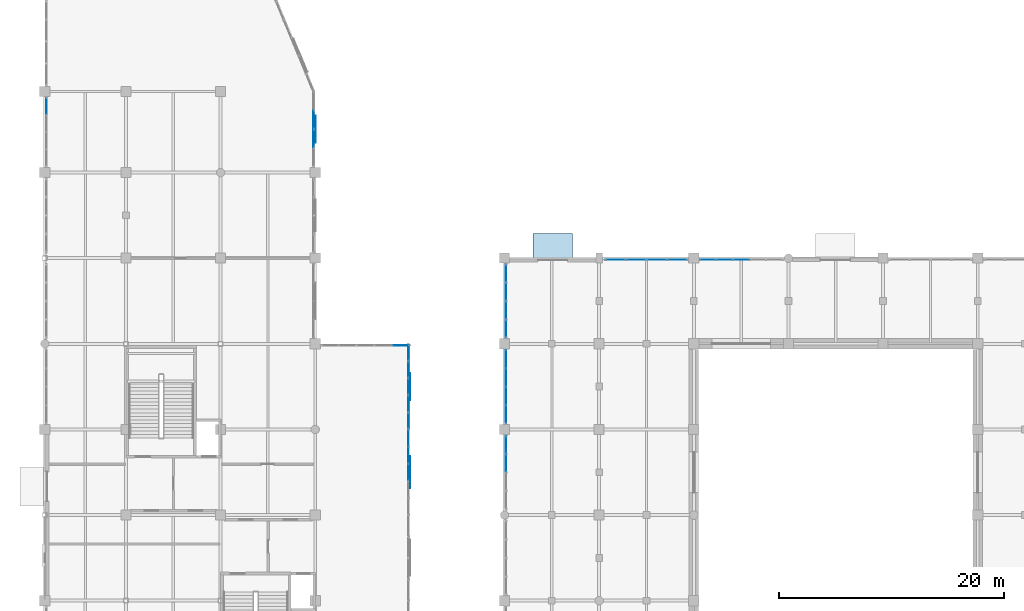
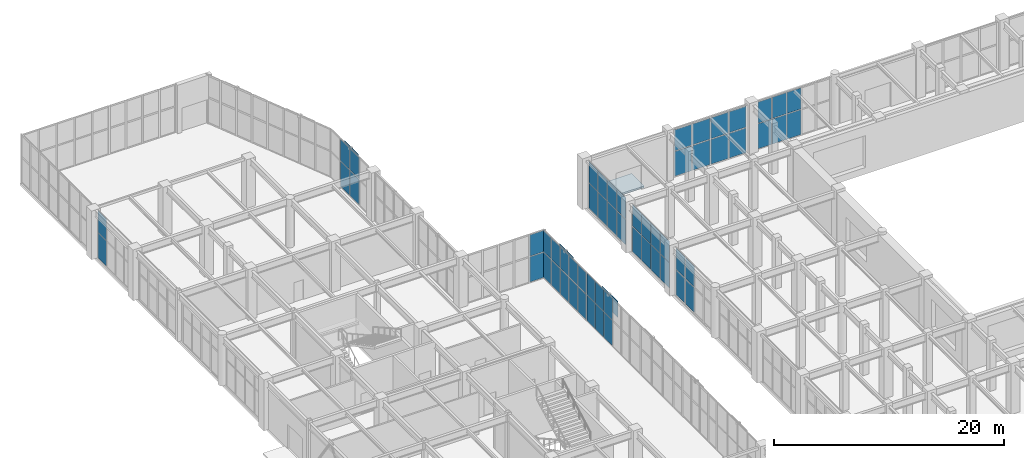
# One storey, part 107 of 139: 61 plates, 1 slab, 10 elements without a shape of their own.
"""IFC4 building model written with IfcOpenShell, lengths in metres."""

from ifc_helpers import new_model, si_unit, direction, frame, origin, origin_2d, place, context, subcontext, project, spatial, polyline, rectangle, outline, extrude, material, layer, layer_set, type_object, element, aggregate, save


model = new_model("IFC4")

# Units and contexts
model_context = context("Model", 3, precision=1e-05, world=origin(), true_north=direction((0.0, 1.0)))
body_context = subcontext(model_context, "Body", "Model", "MODEL_VIEW")
ifc_project = project(units=[si_unit("LENGTHUNIT", "METRE"), si_unit("AREAUNIT", "SQUARE_METRE"), si_unit("VOLUMEUNIT", "CUBIC_METRE"), si_unit("PLANEANGLEUNIT", "RADIAN"), si_unit("MASSUNIT", "GRAM", prefix="KILO")], contexts=[model_context])

# Site, building, storey
site_placement = place(None, origin())
site = spatial("IfcSite", under=ifc_project, at=site_placement, CompositionType="ELEMENT")
building_placement = place(site_placement, origin())
building = spatial("IfcBuilding", under=site, at=building_placement, Name="Xicomal Pleat Aquarium", CompositionType="ELEMENT")
storey_placement = place(building_placement, origin())
storey = spatial("IfcBuildingStorey", under=building, at=storey_placement, Name="L01", CompositionType="ELEMENT", Elevation=0.0)

# Curtain wall, plates
ifc_material_1 = material(Name="Bronze anodized aluminium 6063-T6", Category="aluminium")
ifc_layer_1 = layer(ifc_material_1, 0.159912109375)
ifc_layer_set_1 = layer_set([ifc_layer_1], Name="Bronze anodized aluminium 6063-T6")
curtain_wall_type_1 = type_object("IfcCurtainWallType", Name="CW-SYS-01", PredefinedType="NOTDEFINED", material=ifc_layer_set_1)
curtain_wall_1_placement = place(storey_placement, origin())
curtain_wall_1 = element("IfcCurtainWall", 1, at=curtain_wall_1_placement, inside=storey, type_object=curtain_wall_type_1, Name="L01 unitised curtain wall CW-L01-012", PredefinedType="NOTDEFINED")
ifc_material_2 = material(Name="Insulated low-E laminated glass", Category="glass")
ifc_layer_2 = layer(ifc_material_2, 0.028076171875)
ifc_layer_set_2 = layer_set([ifc_layer_2], Name="Insulated low-E laminated glass")
plate_type_1 = type_object("IfcPlateType", Name="CWP-GLZ-28", PredefinedType="CURTAIN_PANEL", material=ifc_layer_set_2)
plate_1_placement = place(storey_placement, frame((3.139892578125, 97.09375, 0.06494140625), z_axis=(0.0, 0.0, 1.0), x_axis=(0.0, 1.0, 0.0)))
plate_1 = element("IfcPlate", 2, at=plate_1_placement, type_object=plate_type_1, Name="CW-01 panel 4.1", PredefinedType="CURTAIN_PANEL", context=body_context, shape_type="SweptSolid", body=[
    extrude(rectangle(XDim=1.4423828125, YDim=0.028076171875, at=origin_2d()), origin(), (0.0, 0.0, 1.0), 2.6884765625),
])
plate_2_placement = place(storey_placement, frame((3.139892578125, 97.09375, 2.818359375), z_axis=(0.0, 0.0, 1.0), x_axis=(0.0, 1.0, 0.0)))
plate_2 = element("IfcPlate", 3, at=plate_2_placement, type_object=plate_type_1, Name="CW-01 panel 4.2", PredefinedType="CURTAIN_PANEL", context=body_context, shape_type="SweptSolid", body=[
    extrude(rectangle(XDim=1.4423828125, YDim=0.028076171875, at=origin_2d()), origin(), (0.0, 0.0, 1.0), 2.276611328125),
])
aggregate(curtain_wall_1, [plate_1, plate_2])

curtain_wall_2_placement = place(storey_placement, origin())
curtain_wall_2 = element("IfcCurtainWall", 4, at=curtain_wall_2_placement, inside=storey, type_object=curtain_wall_type_1, Name="L01 unitised curtain wall CW-L01-024", PredefinedType="NOTDEFINED")
plate_3_placement = place(storey_placement, frame((35.260009765625, 67.623779296875, 0.06494140625), z_axis=(0.0, 0.0, 1.0), x_axis=(0.0, -1.0, 0.0)))
plate_3 = element("IfcPlate", 5, at=plate_3_placement, type_object=plate_type_1, Name="CW-01 panel 1.1", PredefinedType="CURTAIN_PANEL", context=body_context, shape_type="SweptSolid", body=[
    extrude(rectangle(XDim=1.422607421875, YDim=0.028076171875, at=origin_2d()), origin(), (0.0, 0.0, 1.0), 2.6884765625),
])
plate_4_placement = place(storey_placement, frame((35.260009765625, 67.623779296875, 2.818359375), z_axis=(0.0, 0.0, 1.0), x_axis=(0.0, -1.0, 0.0)))
plate_4 = element("IfcPlate", 6, at=plate_4_placement, type_object=plate_type_1, Name="CW-01 panel 1.2", PredefinedType="CURTAIN_PANEL", context=body_context, shape_type="SweptSolid", body=[
    extrude(rectangle(XDim=1.422607421875, YDim=0.028076171875, at=origin_2d()), origin(), (0.0, 0.0, 1.0), 2.276611328125),
])
plate_5_placement = place(storey_placement, frame((35.260009765625, 66.1201171875, 0.06494140625), z_axis=(0.0, 0.0, 1.0), x_axis=(0.0, -1.0, 0.0)))
plate_5 = element("IfcPlate", 7, at=plate_5_placement, type_object=plate_type_1, Name="CW-01 panel 2.1", PredefinedType="CURTAIN_PANEL", context=body_context, shape_type="SweptSolid", body=[
    extrude(rectangle(XDim=1.455078125, YDim=0.028076171875, at=origin_2d()), origin(), (0.0, 0.0, 1.0), 2.6884765625),
])
plate_6_placement = place(storey_placement, frame((35.260009765625, 66.1201171875, 2.818359375), z_axis=(0.0, 0.0, 1.0), x_axis=(0.0, -1.0, 0.0)))
plate_6 = element("IfcPlate", 8, at=plate_6_placement, type_object=plate_type_1, Name="CW-01 panel 2.2", PredefinedType="CURTAIN_PANEL", context=body_context, shape_type="SweptSolid", body=[
    extrude(rectangle(XDim=1.455078125, YDim=0.028076171875, at=origin_2d()), origin(), (0.0, 0.0, 1.0), 2.276611328125),
])
plate_7_placement = place(storey_placement, frame((35.260009765625, 64.60009765625, 0.06494140625), z_axis=(0.0, 0.0, 1.0), x_axis=(0.0, -1.0, 0.0)))
plate_7 = element("IfcPlate", 9, at=plate_7_placement, type_object=plate_type_1, Name="CW-01 panel 3.1", PredefinedType="CURTAIN_PANEL", context=body_context, shape_type="SweptSolid", body=[
    extrude(rectangle(XDim=1.455078125, YDim=0.028076171875, at=origin_2d()), origin(), (0.0, 0.0, 1.0), 2.6884765625),
])
plate_8_placement = place(storey_placement, frame((35.260009765625, 64.60009765625, 2.818359375), z_axis=(0.0, 0.0, 1.0), x_axis=(0.0, -1.0, 0.0)))
plate_8 = element("IfcPlate", 10, at=plate_8_placement, type_object=plate_type_1, Name="CW-01 panel 3.2", PredefinedType="CURTAIN_PANEL", context=body_context, shape_type="SweptSolid", body=[
    extrude(rectangle(XDim=1.455078125, YDim=0.028076171875, at=origin_2d()), origin(), (0.0, 0.0, 1.0), 2.276611328125),
])
aggregate(curtain_wall_2, [plate_3, plate_4, plate_5, plate_6, plate_7, plate_8])

ifc_material_3 = material(Name="Bronze anodized aluminium 6063-T6", Category="aluminium")
ifc_layer_3 = layer(ifc_material_3, 0.159912109375)
ifc_layer_set_3 = layer_set([ifc_layer_3], Name="Bronze anodized aluminium 6063-T6")
curtain_wall_type_2 = type_object("IfcCurtainWallType", Name="CW-SYS-11", PredefinedType="NOTDEFINED", material=ifc_layer_set_3)
curtain_wall_3_placement = place(storey_placement, origin())
curtain_wall_3 = element("IfcCurtainWall", 11, at=curtain_wall_3_placement, inside=storey, type_object=curtain_wall_type_2, Name="L01 unitised curtain wall CW-L01-032", PredefinedType="NOTDEFINED")
plate_9_placement = place(storey_placement, frame((43.93994140625, 65.419921875, 0.0849609375), z_axis=(0.0, 0.0, 1.0), x_axis=(0.0, 1.0, 0.0)))
plate_9 = element("IfcPlate", 12, at=plate_9_placement, type_object=plate_type_1, Name="CW-11 panel 3.1", PredefinedType="CURTAIN_PANEL", context=body_context, shape_type="SweptSolid", body=[
    extrude(rectangle(XDim=1.554931640625, YDim=0.028076171875, at=origin_2d()), origin(), (0.0, 0.0, 1.0), 2.62646484375),
])
plate_10_placement = place(storey_placement, frame((43.93994140625, 65.419921875, 2.79638671875), z_axis=(0.0, 0.0, 1.0), x_axis=(0.0, 1.0, 0.0)))
plate_10 = element("IfcPlate", 13, at=plate_10_placement, type_object=plate_type_1, Name="CW-11 panel 3.2", PredefinedType="CURTAIN_PANEL", context=body_context, shape_type="SweptSolid", body=[
    extrude(rectangle(XDim=1.554931640625, YDim=0.028076171875, at=origin_2d()), origin(), (0.0, 0.0, 1.0), 2.218505859375),
])
plate_11_placement = place(storey_placement, frame((43.93994140625, 67.038818359375, 0.0849609375), z_axis=(0.0, 0.0, 1.0), x_axis=(0.0, 1.0, 0.0)))
plate_11 = element("IfcPlate", 14, at=plate_11_placement, type_object=plate_type_1, Name="CW-11 panel 4.1", PredefinedType="CURTAIN_PANEL", context=body_context, shape_type="SweptSolid", body=[
    extrude(rectangle(XDim=1.512451171875, YDim=0.028076171875, at=origin_2d()), origin(), (0.0, 0.0, 1.0), 2.62646484375),
])
plate_12_placement = place(storey_placement, frame((43.93994140625, 67.038818359375, 2.79638671875), z_axis=(0.0, 0.0, 1.0), x_axis=(0.0, 1.0, 0.0)))
plate_12 = element("IfcPlate", 15, at=plate_12_placement, type_object=plate_type_1, Name="CW-11 panel 4.2", PredefinedType="CURTAIN_PANEL", context=body_context, shape_type="SweptSolid", body=[
    extrude(rectangle(XDim=1.512451171875, YDim=0.028076171875, at=origin_2d()), origin(), (0.0, 0.0, 1.0), 2.218505859375),
])
aggregate(curtain_wall_3, [plate_9, plate_10, plate_11, plate_12])

curtain_wall_4_placement = place(storey_placement, origin())
curtain_wall_4 = element("IfcCurtainWall", 16, at=curtain_wall_4_placement, inside=storey, type_object=curtain_wall_type_1, Name="L01 unitised curtain wall CW-L01-036", PredefinedType="NOTDEFINED")
plate_13_placement = place(storey_placement, frame((61.872314453125, 83.4599609375, 0.06494140625), z_axis=(0.0, 0.0, 1.0), x_axis=(1.0, 0.0, 0.0)))
plate_13 = element("IfcPlate", 17, at=plate_13_placement, type_object=plate_type_1, Name="CW-01 panel 1.1", PredefinedType="CURTAIN_PANEL", context=body_context, shape_type="SweptSolid", body=[
    extrude(rectangle(XDim=1.37451171875, YDim=0.028076171875, at=origin_2d()), origin(), (0.0, 0.0, 1.0), 2.656494140625),
])
plate_14_placement = place(storey_placement, frame((61.872314453125, 83.4599609375, 2.78662109375), z_axis=(0.0, 0.0, 1.0), x_axis=(1.0, 0.0, 0.0)))
plate_14 = element("IfcPlate", 18, at=plate_14_placement, type_object=plate_type_1, Name="CW-01 panel 1.2", PredefinedType="CURTAIN_PANEL", context=body_context, shape_type="SweptSolid", body=[
    extrude(rectangle(XDim=1.37451171875, YDim=0.028076171875, at=origin_2d()), origin(), (0.0, 0.0, 1.0), 2.24853515625),
])
plate_15_placement = place(storey_placement, frame((63.327880859375, 83.4599609375, 0.06494140625), z_axis=(0.0, 0.0, 1.0), x_axis=(1.0, 0.0, 0.0)))
plate_15 = element("IfcPlate", 19, at=plate_15_placement, type_object=plate_type_1, Name="CW-01 panel 2.1", PredefinedType="CURTAIN_PANEL", context=body_context, shape_type="SweptSolid", body=[
    extrude(rectangle(XDim=1.406982421875, YDim=0.028076171875, at=origin_2d()), origin(), (0.0, 0.0, 1.0), 2.656494140625),
])
plate_16_placement = place(storey_placement, frame((63.327880859375, 83.4599609375, 2.78662109375), z_axis=(0.0, 0.0, 1.0), x_axis=(1.0, 0.0, 0.0)))
plate_16 = element("IfcPlate", 20, at=plate_16_placement, type_object=plate_type_1, Name="CW-01 panel 2.2", PredefinedType="CURTAIN_PANEL", context=body_context, shape_type="SweptSolid", body=[
    extrude(rectangle(XDim=1.406982421875, YDim=0.028076171875, at=origin_2d()), origin(), (0.0, 0.0, 1.0), 2.24853515625),
])
plate_17_placement = place(storey_placement, frame((64.800048828125, 83.4599609375, 0.06494140625), z_axis=(0.0, 0.0, 1.0), x_axis=(1.0, 0.0, 0.0)))
plate_17 = element("IfcPlate", 21, at=plate_17_placement, type_object=plate_type_1, Name="CW-01 panel 3.1", PredefinedType="CURTAIN_PANEL", context=body_context, shape_type="SweptSolid", body=[
    extrude(rectangle(XDim=1.406982421875, YDim=0.028076171875, at=origin_2d()), origin(), (0.0, 0.0, 1.0), 2.656494140625),
])
plate_18_placement = place(storey_placement, frame((64.800048828125, 83.4599609375, 2.78662109375), z_axis=(0.0, 0.0, 1.0), x_axis=(1.0, 0.0, 0.0)))
plate_18 = element("IfcPlate", 22, at=plate_18_placement, type_object=plate_type_1, Name="CW-01 panel 3.2", PredefinedType="CURTAIN_PANEL", context=body_context, shape_type="SweptSolid", body=[
    extrude(rectangle(XDim=1.406982421875, YDim=0.028076171875, at=origin_2d()), origin(), (0.0, 0.0, 1.0), 2.24853515625),
])
aggregate(curtain_wall_4, [plate_13, plate_14, plate_15, plate_16, plate_17, plate_18])

curtain_wall_5_placement = place(storey_placement, origin())
curtain_wall_5 = element("IfcCurtainWall", 23, at=curtain_wall_5_placement, inside=storey, type_object=curtain_wall_type_1, Name="L01 unitised curtain wall CW-L01-033", PredefinedType="NOTDEFINED")
ifc_material_4 = material(Name="Insulated low-E laminated glass", Category="glass")
ifc_layer_4 = layer(ifc_material_4, 0.031982421875)
ifc_layer_set_4 = layer_set([ifc_layer_4], Name="Insulated low-E laminated glass")
plate_type_2 = type_object("IfcPlateType", Name="CWP-GLZ-32", PredefinedType="CURTAIN_PANEL", material=ifc_layer_set_4)
plate_19_placement = place(storey_placement, frame((43.93994140625, 69.75634765625, 0.06494140625), z_axis=(0.0, 0.0, 1.0), x_axis=(0.0, 1.0, 0.0)))
plate_19 = element("IfcPlate", 24, at=plate_19_placement, type_object=plate_type_2, Name="CW-01 panel 1.1", PredefinedType="CURTAIN_PANEL", context=body_context, shape_type="SweptSolid", body=[
    extrude(rectangle(XDim=1.54248046875, YDim=0.031982421875, at=origin_2d()), origin(), (0.0, 0.0, 1.0), 2.656494140625),
])
plate_20_placement = place(storey_placement, frame((43.93994140625, 69.75634765625, 2.78662109375), z_axis=(0.0, 0.0, 1.0), x_axis=(0.0, 1.0, 0.0)))
plate_20 = element("IfcPlate", 25, at=plate_20_placement, type_object=plate_type_2, Name="CW-01 panel 1.2", PredefinedType="CURTAIN_PANEL", context=body_context, shape_type="SweptSolid", body=[
    extrude(rectangle(XDim=1.54248046875, YDim=0.031982421875, at=origin_2d()), origin(), (0.0, 0.0, 1.0), 2.24853515625),
])
plate_21_placement = place(storey_placement, frame((43.93994140625, 71.3798828125, 0.06494140625), z_axis=(0.0, 0.0, 1.0), x_axis=(0.0, 1.0, 0.0)))
plate_21 = element("IfcPlate", 26, at=plate_21_placement, type_object=plate_type_2, Name="CW-01 panel 2.1", PredefinedType="CURTAIN_PANEL", context=body_context, shape_type="SweptSolid", body=[
    extrude(rectangle(XDim=1.574951171875, YDim=0.031982421875, at=origin_2d()), origin(), (0.0, 0.0, 1.0), 2.656494140625),
])
plate_22_placement = place(storey_placement, frame((43.93994140625, 71.3798828125, 2.78662109375), z_axis=(0.0, 0.0, 1.0), x_axis=(0.0, 1.0, 0.0)))
plate_22 = element("IfcPlate", 27, at=plate_22_placement, type_object=plate_type_2, Name="CW-01 panel 2.2", PredefinedType="CURTAIN_PANEL", context=body_context, shape_type="SweptSolid", body=[
    extrude(rectangle(XDim=1.574951171875, YDim=0.031982421875, at=origin_2d()), origin(), (0.0, 0.0, 1.0), 2.24853515625),
])
plate_23_placement = place(storey_placement, frame((43.93994140625, 73.02001953125, 0.06494140625), z_axis=(0.0, 0.0, 1.0), x_axis=(0.0, 1.0, 0.0)))
plate_23 = element("IfcPlate", 28, at=plate_23_placement, type_object=plate_type_2, Name="CW-01 panel 3.1", PredefinedType="CURTAIN_PANEL", context=body_context, shape_type="SweptSolid", body=[
    extrude(rectangle(XDim=1.574951171875, YDim=0.031982421875, at=origin_2d()), origin(), (0.0, 0.0, 1.0), 2.656494140625),
])
plate_24_placement = place(storey_placement, frame((43.93994140625, 73.02001953125, 2.78662109375), z_axis=(0.0, 0.0, 1.0), x_axis=(0.0, 1.0, 0.0)))
plate_24 = element("IfcPlate", 29, at=plate_24_placement, type_object=plate_type_2, Name="CW-01 panel 3.2", PredefinedType="CURTAIN_PANEL", context=body_context, shape_type="SweptSolid", body=[
    extrude(rectangle(XDim=1.574951171875, YDim=0.031982421875, at=origin_2d()), origin(), (0.0, 0.0, 1.0), 2.24853515625),
])
plate_25_placement = place(storey_placement, frame((43.93994140625, 74.643798828125, 0.06494140625), z_axis=(0.0, 0.0, 1.0), x_axis=(0.0, 1.0, 0.0)))
plate_25 = element("IfcPlate", 30, at=plate_25_placement, type_object=plate_type_2, Name="CW-01 panel 4.1", PredefinedType="CURTAIN_PANEL", context=body_context, shape_type="SweptSolid", body=[
    extrude(rectangle(XDim=1.54248046875, YDim=0.031982421875, at=origin_2d()), origin(), (0.0, 0.0, 1.0), 2.656494140625),
])
plate_26_placement = place(storey_placement, frame((43.93994140625, 74.643798828125, 2.78662109375), z_axis=(0.0, 0.0, 1.0), x_axis=(0.0, 1.0, 0.0)))
plate_26 = element("IfcPlate", 31, at=plate_26_placement, type_object=plate_type_2, Name="CW-01 panel 4.2", PredefinedType="CURTAIN_PANEL", context=body_context, shape_type="SweptSolid", body=[
    extrude(rectangle(XDim=1.54248046875, YDim=0.031982421875, at=origin_2d()), origin(), (0.0, 0.0, 1.0), 2.24853515625),
])
aggregate(curtain_wall_5, [plate_19, plate_20, plate_21, plate_22, plate_23, plate_24, plate_25, plate_26])

ifc_material_5 = material(Name="Bronze anodized aluminium 6063-T6", Category="aluminium")
ifc_layer_5 = layer(ifc_material_5, 0.159912109375)
ifc_layer_set_5 = layer_set([ifc_layer_5], Name="Bronze anodized aluminium 6063-T6")
curtain_wall_type_3 = type_object("IfcCurtainWallType", Name="CW-SYS-06", PredefinedType="NOTDEFINED", material=ifc_layer_set_5)
curtain_wall_6_placement = place(storey_placement, origin())
curtain_wall_6 = element("IfcCurtainWall", 32, at=curtain_wall_6_placement, inside=storey, type_object=curtain_wall_type_3, Name="L01 unitised curtain wall CW-L01-022", PredefinedType="NOTDEFINED")
ifc_material_6 = material(Name="Insulated low-E laminated glass", Category="glass")
ifc_layer_6 = layer(ifc_material_6, 0.035888671875)
ifc_layer_set_6 = layer_set([ifc_layer_6], Name="Insulated low-E laminated glass")
plate_type_3 = type_object("IfcPlateType", Name="CWP-GLZ-36", PredefinedType="CURTAIN_PANEL", material=ifc_layer_set_6)
plate_27_placement = place(storey_placement, frame((34.59326171875, 75.860107421875, 0.0751953125), z_axis=(0.0, 0.0, 1.0), x_axis=(1.0, 0.0, 0.0)))
plate_27 = element("IfcPlate", 33, at=plate_27_placement, type_object=plate_type_3, Name="CW-06 panel 5.1", PredefinedType="CURTAIN_PANEL", context=body_context, shape_type="SweptSolid", body=[
    extrude(rectangle(XDim=1.46337890625, YDim=0.035888671875, at=origin_2d()), origin(), (0.0, 0.0, 1.0), 2.673583984375),
])
plate_28_placement = place(storey_placement, frame((34.59326171875, 75.860107421875, 2.82373046875), z_axis=(0.0, 0.0, 1.0), x_axis=(1.0, 0.0, 0.0)))
plate_28 = element("IfcPlate", 34, at=plate_28_placement, type_object=plate_type_3, Name="CW-06 panel 5.2", PredefinedType="CURTAIN_PANEL", context=body_context, shape_type="SweptSolid", body=[
    extrude(rectangle(XDim=1.46337890625, YDim=0.035888671875, at=origin_2d()), origin(), (0.0, 0.0, 1.0), 2.261474609375),
])
aggregate(curtain_wall_6, [plate_27, plate_28])

curtain_wall_7_placement = place(storey_placement, origin())
curtain_wall_7 = element("IfcCurtainWall", 35, at=curtain_wall_7_placement, inside=storey, type_object=curtain_wall_type_3, Name="L01 unitised curtain wall CW-L01-034", PredefinedType="NOTDEFINED")
plate_29_placement = place(storey_placement, frame((43.93994140625, 77.35888671875, 0.074951171875), z_axis=(0.0, 0.0, 1.0), x_axis=(0.0, 1.0, 0.0)))
plate_29 = element("IfcPlate", 36, at=plate_29_placement, type_object=plate_type_3, Name="CW-06 panel 1.1", PredefinedType="CURTAIN_PANEL", context=body_context, shape_type="SweptSolid", body=[
    extrude(rectangle(XDim=1.527587890625, YDim=0.035888671875, at=origin_2d()), origin(), (0.0, 0.0, 1.0), 2.6416015625),
])
plate_30_placement = place(storey_placement, frame((43.93994140625, 77.35888671875, 2.79150390625), z_axis=(0.0, 0.0, 1.0), x_axis=(0.0, 1.0, 0.0)))
plate_30 = element("IfcPlate", 37, at=plate_30_placement, type_object=plate_type_3, Name="CW-06 panel 1.2", PredefinedType="CURTAIN_PANEL", context=body_context, shape_type="SweptSolid", body=[
    extrude(rectangle(XDim=1.527587890625, YDim=0.035888671875, at=origin_2d()), origin(), (0.0, 0.0, 1.0), 2.2333984375),
])
plate_31_placement = place(storey_placement, frame((43.93994140625, 78.97998046875, 0.074951171875), z_axis=(0.0, 0.0, 1.0), x_axis=(0.0, 1.0, 0.0)))
plate_31 = element("IfcPlate", 38, at=plate_31_placement, type_object=plate_type_3, Name="CW-06 panel 2.1", PredefinedType="CURTAIN_PANEL", context=body_context, shape_type="SweptSolid", body=[
    extrude(rectangle(XDim=1.56494140625, YDim=0.035888671875, at=origin_2d()), origin(), (0.0, 0.0, 1.0), 2.6416015625),
])
plate_32_placement = place(storey_placement, frame((43.93994140625, 78.97998046875, 2.79150390625), z_axis=(0.0, 0.0, 1.0), x_axis=(0.0, 1.0, 0.0)))
plate_32 = element("IfcPlate", 39, at=plate_32_placement, type_object=plate_type_3, Name="CW-06 panel 2.2", PredefinedType="CURTAIN_PANEL", context=body_context, shape_type="SweptSolid", body=[
    extrude(rectangle(XDim=1.56494140625, YDim=0.035888671875, at=origin_2d()), origin(), (0.0, 0.0, 1.0), 2.2333984375),
])
plate_33_placement = place(storey_placement, frame((43.93994140625, 80.6201171875, 0.074951171875), z_axis=(0.0, 0.0, 1.0), x_axis=(0.0, 1.0, 0.0)))
plate_33 = element("IfcPlate", 40, at=plate_33_placement, type_object=plate_type_3, Name="CW-06 panel 3.1", PredefinedType="CURTAIN_PANEL", context=body_context, shape_type="SweptSolid", body=[
    extrude(rectangle(XDim=1.56494140625, YDim=0.035888671875, at=origin_2d()), origin(), (0.0, 0.0, 1.0), 2.6416015625),
])
plate_34_placement = place(storey_placement, frame((43.93994140625, 80.6201171875, 2.79150390625), z_axis=(0.0, 0.0, 1.0), x_axis=(0.0, 1.0, 0.0)))
plate_34 = element("IfcPlate", 41, at=plate_34_placement, type_object=plate_type_3, Name="CW-06 panel 3.2", PredefinedType="CURTAIN_PANEL", context=body_context, shape_type="SweptSolid", body=[
    extrude(rectangle(XDim=1.56494140625, YDim=0.035888671875, at=origin_2d()), origin(), (0.0, 0.0, 1.0), 2.2333984375),
])
plate_35_placement = place(storey_placement, frame((43.93994140625, 82.2412109375, 0.074951171875), z_axis=(0.0, 0.0, 1.0), x_axis=(0.0, 1.0, 0.0)))
plate_35 = element("IfcPlate", 42, at=plate_35_placement, type_object=plate_type_3, Name="CW-06 panel 4.1", PredefinedType="CURTAIN_PANEL", context=body_context, shape_type="SweptSolid", body=[
    extrude(rectangle(XDim=1.527587890625, YDim=0.035888671875, at=origin_2d()), origin(), (0.0, 0.0, 1.0), 2.6416015625),
])
plate_36_placement = place(storey_placement, frame((43.93994140625, 82.2412109375, 2.79150390625), z_axis=(0.0, 0.0, 1.0), x_axis=(0.0, 1.0, 0.0)))
plate_36 = element("IfcPlate", 43, at=plate_36_placement, type_object=plate_type_3, Name="CW-06 panel 4.2", PredefinedType="CURTAIN_PANEL", context=body_context, shape_type="SweptSolid", body=[
    extrude(rectangle(XDim=1.527587890625, YDim=0.035888671875, at=origin_2d()), origin(), (0.0, 0.0, 1.0), 2.2333984375),
])
aggregate(curtain_wall_7, [plate_29, plate_30, plate_31, plate_32, plate_33, plate_34, plate_35, plate_36])

curtain_wall_8_placement = place(storey_placement, origin())
curtain_wall_8 = element("IfcCurtainWall", 44, at=curtain_wall_8_placement, inside=storey, type_object=curtain_wall_type_3, Name="L01 unitised curtain wall CW-L01-019", PredefinedType="NOTDEFINED")
ifc_material_7 = material(Name="Insulated low-E laminated glass", Category="glass")
ifc_layer_7 = layer(ifc_material_7, 0.0419921875)
ifc_layer_set_7 = layer_set([ifc_layer_7], Name="Insulated low-E laminated glass")
plate_type_4 = type_object("IfcPlateType", Name="CWP-GLZ-42", PredefinedType="CURTAIN_PANEL", material=ifc_layer_set_7)
plate_37_placement = place(storey_placement, frame((26.860107421875, 95.89501953125, 0.0751953125), z_axis=(0.0, 0.0, 1.0), x_axis=(0.0, -1.0, 0.0)))
plate_37 = element("IfcPlate", 45, at=plate_37_placement, type_object=plate_type_4, Name="CW-06 panel 2.1", PredefinedType="CURTAIN_PANEL", context=body_context, shape_type="SweptSolid", body=[
    extrude(rectangle(XDim=1.594970703125, YDim=0.0419921875, at=origin_2d()), origin(), (0.0, 0.0, 1.0), 2.673583984375),
])
plate_38_placement = place(storey_placement, frame((26.860107421875, 95.89501953125, 2.82373046875), z_axis=(0.0, 0.0, 1.0), x_axis=(0.0, -1.0, 0.0)))
plate_38 = element("IfcPlate", 46, at=plate_38_placement, type_object=plate_type_4, Name="CW-06 panel 2.2", PredefinedType="CURTAIN_PANEL", context=body_context, shape_type="SweptSolid", body=[
    extrude(rectangle(XDim=1.594970703125, YDim=0.0419921875, at=origin_2d()), origin(), (0.0, 0.0, 1.0), 2.261474609375),
])
plate_39_placement = place(storey_placement, frame((26.860107421875, 94.22509765625, 0.0751953125), z_axis=(0.0, 0.0, 1.0), x_axis=(0.0, -1.0, 0.0)))
plate_39 = element("IfcPlate", 47, at=plate_39_placement, type_object=plate_type_4, Name="CW-06 panel 3.1", PredefinedType="CURTAIN_PANEL", context=body_context, shape_type="SweptSolid", body=[
    extrude(rectangle(XDim=1.594970703125, YDim=0.0419921875, at=origin_2d()), origin(), (0.0, 0.0, 1.0), 2.673583984375),
])
plate_40_placement = place(storey_placement, frame((26.860107421875, 94.22509765625, 2.82373046875), z_axis=(0.0, 0.0, 1.0), x_axis=(0.0, -1.0, 0.0)))
plate_40 = element("IfcPlate", 48, at=plate_40_placement, type_object=plate_type_4, Name="CW-06 panel 3.2", PredefinedType="CURTAIN_PANEL", context=body_context, shape_type="SweptSolid", body=[
    extrude(rectangle(XDim=1.594970703125, YDim=0.0419921875, at=origin_2d()), origin(), (0.0, 0.0, 1.0), 2.261474609375),
])
aggregate(curtain_wall_8, [plate_37, plate_38, plate_39, plate_40])

curtain_wall_9_placement = place(storey_placement, origin())
curtain_wall_9 = element("IfcCurtainWall", 49, at=curtain_wall_9_placement, inside=storey, type_object=curtain_wall_type_2, Name="L01 unitised curtain wall CW-L01-023", PredefinedType="NOTDEFINED")
plate_41_placement = place(storey_placement, frame((35.260009765625, 75.21875, 0.0849609375), z_axis=(0.0, 0.0, 1.0), x_axis=(0.0, -1.0, 0.0)))
plate_41 = element("IfcPlate", 50, at=plate_41_placement, type_object=plate_type_4, Name="CW-11 panel 1.1", PredefinedType="CURTAIN_PANEL", context=body_context, shape_type="SweptSolid", body=[
    extrude(rectangle(XDim=1.392578125, YDim=0.0419921875, at=origin_2d()), origin(), (0.0, 0.0, 1.0), 2.658447265625),
])
plate_42_placement = place(storey_placement, frame((35.260009765625, 75.21875, 2.828369140625), z_axis=(0.0, 0.0, 1.0), x_axis=(0.0, -1.0, 0.0)))
plate_42 = element("IfcPlate", 51, at=plate_42_placement, type_object=plate_type_4, Name="CW-11 panel 1.2", PredefinedType="CURTAIN_PANEL", context=body_context, shape_type="SweptSolid", body=[
    extrude(rectangle(XDim=1.392578125, YDim=0.0419921875, at=origin_2d()), origin(), (0.0, 0.0, 1.0), 2.24658203125),
])
plate_43_placement = place(storey_placement, frame((35.260009765625, 73.719970703125, 0.0849609375), z_axis=(0.0, 0.0, 1.0), x_axis=(0.0, -1.0, 0.0)))
plate_43 = element("IfcPlate", 52, at=plate_43_placement, type_object=plate_type_4, Name="CW-11 panel 2.1", PredefinedType="CURTAIN_PANEL", context=body_context, shape_type="SweptSolid", body=[
    extrude(rectangle(XDim=1.43505859375, YDim=0.0419921875, at=origin_2d()), origin(), (0.0, 0.0, 1.0), 2.658447265625),
])
plate_44_placement = place(storey_placement, frame((35.260009765625, 73.719970703125, 2.828369140625), z_axis=(0.0, 0.0, 1.0), x_axis=(0.0, -1.0, 0.0)))
plate_44 = element("IfcPlate", 53, at=plate_44_placement, type_object=plate_type_4, Name="CW-11 panel 2.2", PredefinedType="CURTAIN_PANEL", context=body_context, shape_type="SweptSolid", body=[
    extrude(rectangle(XDim=1.43505859375, YDim=0.0419921875, at=origin_2d()), origin(), (0.0, 0.0, 1.0), 2.24658203125),
])
plate_45_placement = place(storey_placement, frame((35.260009765625, 72.199951171875, 0.0849609375), z_axis=(0.0, 0.0, 1.0), x_axis=(0.0, -1.0, 0.0)))
plate_45 = element("IfcPlate", 54, at=plate_45_placement, type_object=plate_type_4, Name="CW-11 panel 3.1", PredefinedType="CURTAIN_PANEL", context=body_context, shape_type="SweptSolid", body=[
    extrude(rectangle(XDim=1.43505859375, YDim=0.0419921875, at=origin_2d()), origin(), (0.0, 0.0, 1.0), 2.658447265625),
])
plate_46_placement = place(storey_placement, frame((35.260009765625, 72.199951171875, 2.828369140625), z_axis=(0.0, 0.0, 1.0), x_axis=(0.0, -1.0, 0.0)))
plate_46 = element("IfcPlate", 55, at=plate_46_placement, type_object=plate_type_4, Name="CW-11 panel 3.2", PredefinedType="CURTAIN_PANEL", context=body_context, shape_type="SweptSolid", body=[
    extrude(rectangle(XDim=1.43505859375, YDim=0.0419921875, at=origin_2d()), origin(), (0.0, 0.0, 1.0), 2.24658203125),
])
plate_47_placement = place(storey_placement, frame((35.260009765625, 70.679931640625, 0.0849609375), z_axis=(0.0, 0.0, 1.0), x_axis=(0.0, -1.0, 0.0)))
plate_47 = element("IfcPlate", 56, at=plate_47_placement, type_object=plate_type_4, Name="CW-11 panel 4.1", PredefinedType="CURTAIN_PANEL", context=body_context, shape_type="SweptSolid", body=[
    extrude(rectangle(XDim=1.43505859375, YDim=0.0419921875, at=origin_2d()), origin(), (0.0, 0.0, 1.0), 2.658447265625),
])
plate_48_placement = place(storey_placement, frame((35.260009765625, 70.679931640625, 2.828369140625), z_axis=(0.0, 0.0, 1.0), x_axis=(0.0, -1.0, 0.0)))
plate_48 = element("IfcPlate", 57, at=plate_48_placement, type_object=plate_type_4, Name="CW-11 panel 4.2", PredefinedType="CURTAIN_PANEL", context=body_context, shape_type="SweptSolid", body=[
    extrude(rectangle(XDim=1.43505859375, YDim=0.0419921875, at=origin_2d()), origin(), (0.0, 0.0, 1.0), 2.24658203125),
])
plate_49_placement = place(storey_placement, frame((35.260009765625, 69.181396484375, 0.0849609375), z_axis=(0.0, 0.0, 1.0), x_axis=(0.0, -1.0, 0.0)))
plate_49 = element("IfcPlate", 58, at=plate_49_placement, type_object=plate_type_4, Name="CW-11 panel 5.1", PredefinedType="CURTAIN_PANEL", context=body_context, shape_type="SweptSolid", body=[
    extrude(rectangle(XDim=1.392578125, YDim=0.0419921875, at=origin_2d()), origin(), (0.0, 0.0, 1.0), 2.658447265625),
])
plate_50_placement = place(storey_placement, frame((35.260009765625, 69.181396484375, 2.828369140625), z_axis=(0.0, 0.0, 1.0), x_axis=(0.0, -1.0, 0.0)))
plate_50 = element("IfcPlate", 59, at=plate_50_placement, type_object=plate_type_4, Name="CW-11 panel 5.2", PredefinedType="CURTAIN_PANEL", context=body_context, shape_type="SweptSolid", body=[
    extrude(rectangle(XDim=1.392578125, YDim=0.0419921875, at=origin_2d()), origin(), (0.0, 0.0, 1.0), 2.24658203125),
])
aggregate(curtain_wall_9, [plate_41, plate_42, plate_43, plate_44, plate_45, plate_46, plate_47, plate_48, plate_49, plate_50])

curtain_wall_10_placement = place(storey_placement, origin())
curtain_wall_10 = element("IfcCurtainWall", 60, at=curtain_wall_10_placement, inside=storey, type_object=curtain_wall_type_2, Name="L01 unitised curtain wall CW-L01-035", PredefinedType="NOTDEFINED")
plate_51_placement = place(storey_placement, frame((53.6611328125, 83.4599609375, 0.0849609375), z_axis=(0.0, 0.0, 1.0), x_axis=(1.0, 0.0, 0.0)))
plate_51 = element("IfcPlate", 61, at=plate_51_placement, type_object=plate_type_4, Name="CW-11 panel 1.1", PredefinedType="CURTAIN_PANEL", context=body_context, shape_type="SweptSolid", body=[
    extrude(rectangle(XDim=1.71240234375, YDim=0.0419921875, at=origin_2d()), origin(), (0.0, 0.0, 1.0), 2.62646484375),
])
plate_52_placement = place(storey_placement, frame((53.6611328125, 83.4599609375, 2.79638671875), z_axis=(0.0, 0.0, 1.0), x_axis=(1.0, 0.0, 0.0)))
plate_52 = element("IfcPlate", 62, at=plate_52_placement, type_object=plate_type_4, Name="CW-11 panel 1.2", PredefinedType="CURTAIN_PANEL", context=body_context, shape_type="SweptSolid", body=[
    extrude(rectangle(XDim=1.71240234375, YDim=0.0419921875, at=origin_2d()), origin(), (0.0, 0.0, 1.0), 2.218505859375),
])
plate_53_placement = place(storey_placement, frame((55.47998046875, 83.4599609375, 0.0849609375), z_axis=(0.0, 0.0, 1.0), x_axis=(1.0, 0.0, 0.0)))
plate_53 = element("IfcPlate", 63, at=plate_53_placement, type_object=plate_type_4, Name="CW-11 panel 2.1", PredefinedType="CURTAIN_PANEL", context=body_context, shape_type="SweptSolid", body=[
    extrude(rectangle(XDim=1.7548828125, YDim=0.0419921875, at=origin_2d()), origin(), (0.0, 0.0, 1.0), 2.62646484375),
])
plate_54_placement = place(storey_placement, frame((55.47998046875, 83.4599609375, 2.79638671875), z_axis=(0.0, 0.0, 1.0), x_axis=(1.0, 0.0, 0.0)))
plate_54 = element("IfcPlate", 64, at=plate_54_placement, type_object=plate_type_4, Name="CW-11 panel 2.2", PredefinedType="CURTAIN_PANEL", context=body_context, shape_type="SweptSolid", body=[
    extrude(rectangle(XDim=1.7548828125, YDim=0.0419921875, at=origin_2d()), origin(), (0.0, 0.0, 1.0), 2.218505859375),
])
plate_55_placement = place(storey_placement, frame((57.320068359375, 83.4599609375, 0.0849609375), z_axis=(0.0, 0.0, 1.0), x_axis=(1.0, 0.0, 0.0)))
plate_55 = element("IfcPlate", 65, at=plate_55_placement, type_object=plate_type_4, Name="CW-11 panel 3.1", PredefinedType="CURTAIN_PANEL", context=body_context, shape_type="SweptSolid", body=[
    extrude(rectangle(XDim=1.7548828125, YDim=0.0419921875, at=origin_2d()), origin(), (0.0, 0.0, 1.0), 2.62646484375),
])
plate_56_placement = place(storey_placement, frame((57.320068359375, 83.4599609375, 2.79638671875), z_axis=(0.0, 0.0, 1.0), x_axis=(1.0, 0.0, 0.0)))
plate_56 = element("IfcPlate", 66, at=plate_56_placement, type_object=plate_type_4, Name="CW-11 panel 3.2", PredefinedType="CURTAIN_PANEL", context=body_context, shape_type="SweptSolid", body=[
    extrude(rectangle(XDim=1.7548828125, YDim=0.0419921875, at=origin_2d()), origin(), (0.0, 0.0, 1.0), 2.218505859375),
])
plate_57_placement = place(storey_placement, frame((59.138916015625, 83.4599609375, 0.0849609375), z_axis=(0.0, 0.0, 1.0), x_axis=(1.0, 0.0, 0.0)))
plate_57 = element("IfcPlate", 67, at=plate_57_placement, type_object=plate_type_4, Name="CW-11 panel 4.1", PredefinedType="CURTAIN_PANEL", context=body_context, shape_type="SweptSolid", body=[
    extrude(rectangle(XDim=1.71240234375, YDim=0.0419921875, at=origin_2d()), origin(), (0.0, 0.0, 1.0), 2.62646484375),
])
plate_58_placement = place(storey_placement, frame((59.138916015625, 83.4599609375, 2.79638671875), z_axis=(0.0, 0.0, 1.0), x_axis=(1.0, 0.0, 0.0)))
plate_58 = element("IfcPlate", 68, at=plate_58_placement, type_object=plate_type_4, Name="CW-11 panel 4.2", PredefinedType="CURTAIN_PANEL", context=body_context, shape_type="SweptSolid", body=[
    extrude(rectangle(XDim=1.71240234375, YDim=0.0419921875, at=origin_2d()), origin(), (0.0, 0.0, 1.0), 2.218505859375),
])
aggregate(curtain_wall_10, [plate_51, plate_52, plate_53, plate_54, plate_55, plate_56, plate_57, plate_58])

# Plates
ifc_material_8 = material(Name="Perforated bronze anodized aluminium", Category="aluminium")
ifc_layer_8 = layer(ifc_material_8, 0.01611328125)
ifc_layer_set_8 = layer_set([ifc_layer_8], Name="Perforated bronze anodized aluminium")
plate_type_5 = type_object("IfcPlateType", Name="PLT-SUN-16", PredefinedType="USERDEFINED", material=ifc_layer_set_8)
for number, where, z_axis, x_axis, name in (
    (69, (27.02001953125, 95.06005859375, 3.919921875), (0.0, 0.0, 1.0), (0.0, -1.0, 0.0), "L01 perforated solar sunshade 9"),
    (70, (35.419921875, 72.199951171875, 3.919921875), (0.0, 0.0, 1.0), (0.0, -1.0, 0.0), "L01 perforated solar sunshade 12"),
):
    element("IfcPlate", number, at=place(storey_placement, frame(where, z_axis=z_axis, x_axis=x_axis)), inside=storey, type_object=plate_type_5, Name=name, ObjectType="SUNSHADE PANEL", PredefinedType="USERDEFINED", context=body_context, shape_type="SweptSolid", body=[
        extrude(rectangle(XDim=2.39990234375, YDim=0.01611328125, at=origin_2d()), origin(), (0.0, 0.0, 1.0), 1.199951171875),
    ])
ifc_material_9 = material(Name="Perforated bronze anodized aluminium", Category="aluminium")
ifc_layer_9 = layer(ifc_material_9, 0.02001953125)
ifc_layer_set_9 = layer_set([ifc_layer_9], Name="Perforated bronze anodized aluminium")
plate_type_6 = type_object("IfcPlateType", Name="PLT-SUN-20", PredefinedType="USERDEFINED", material=ifc_layer_set_9)
plate_59_placement = place(storey_placement, frame((35.419921875, 64.60009765625, 3.43994140625), z_axis=(0.0, 0.0, 1.0), x_axis=(0.0, -1.0, 0.0)))
element("IfcPlate", 71, at=plate_59_placement, inside=storey, type_object=plate_type_6, Name="L01 perforated solar sunshade 13", ObjectType="SUNSHADE PANEL", PredefinedType="USERDEFINED", context=body_context, shape_type="SweptSolid", body=[
    extrude(rectangle(XDim=2.800048828125, YDim=0.02001953125, at=origin_2d()), origin(), (0.0, 0.0, 1.0), 1.679931640625),
])

# Slab
ifc_material_10 = material(Name="Concrete C40/50", Category="concrete")
ifc_layer_10 = layer(ifc_material_10, 0.18505859375)
ifc_layer_set_10 = layer_set([ifc_layer_10], Name="Concrete C40/50")
slab_type = type_object("IfcSlabType", Name="SLB-TER-185", PredefinedType="FLOOR", material=ifc_layer_set_10)
slab_placement = place(storey_placement, frame((0.0, 0.0, -0.18505859375)))
element("IfcSlab", 72, at=slab_placement, inside=storey, type_object=slab_type, Name="Exterior grade entrance apron SL-APR-EX-19", PredefinedType="FLOOR", context=body_context, shape_type="SweptSolid", body=[
    extrude(outline(polyline([(46.324951171875, 85.800048828125), (49.824951171875, 85.800048828125), (49.824951171875, 83.60009765625), (46.324951171875, 83.60009765625), (46.324951171875, 85.800048828125)])), origin(), (0.0, 0.0, 1.0), 0.18505859375),
])

save(model, "model.ifc")
